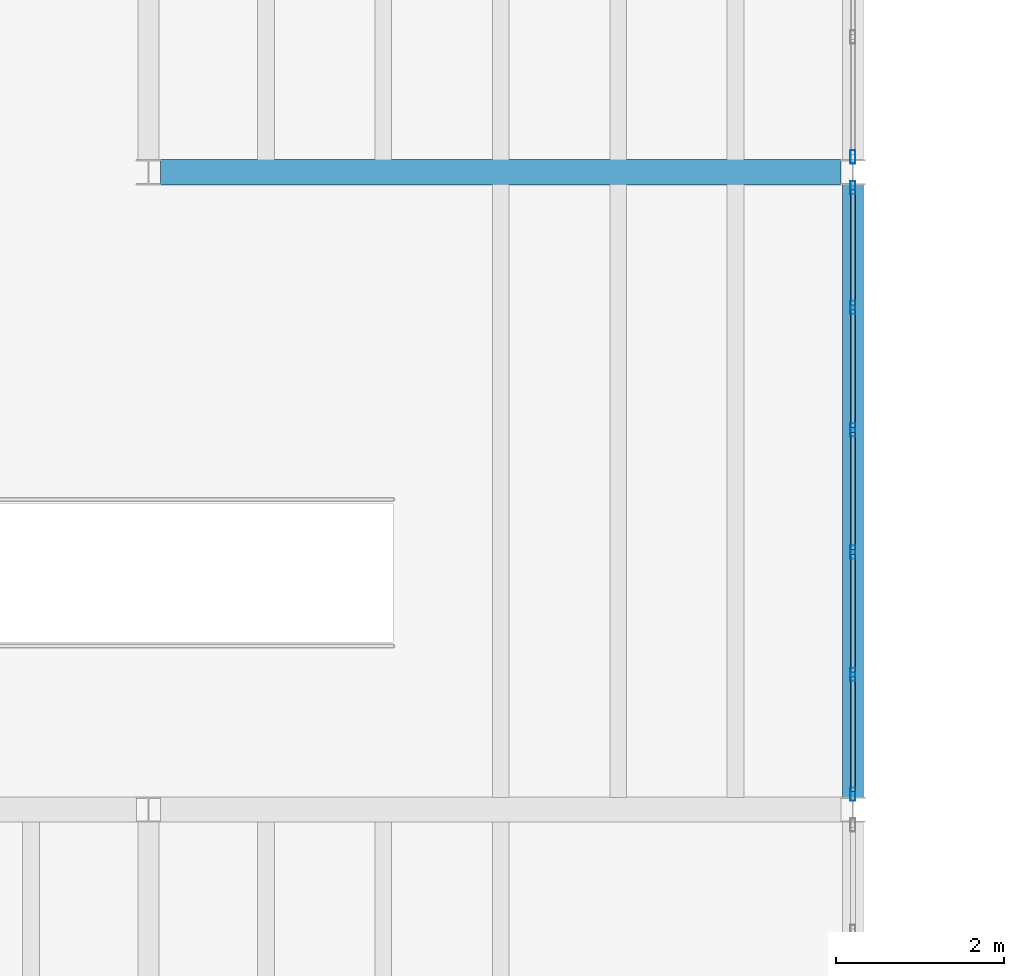
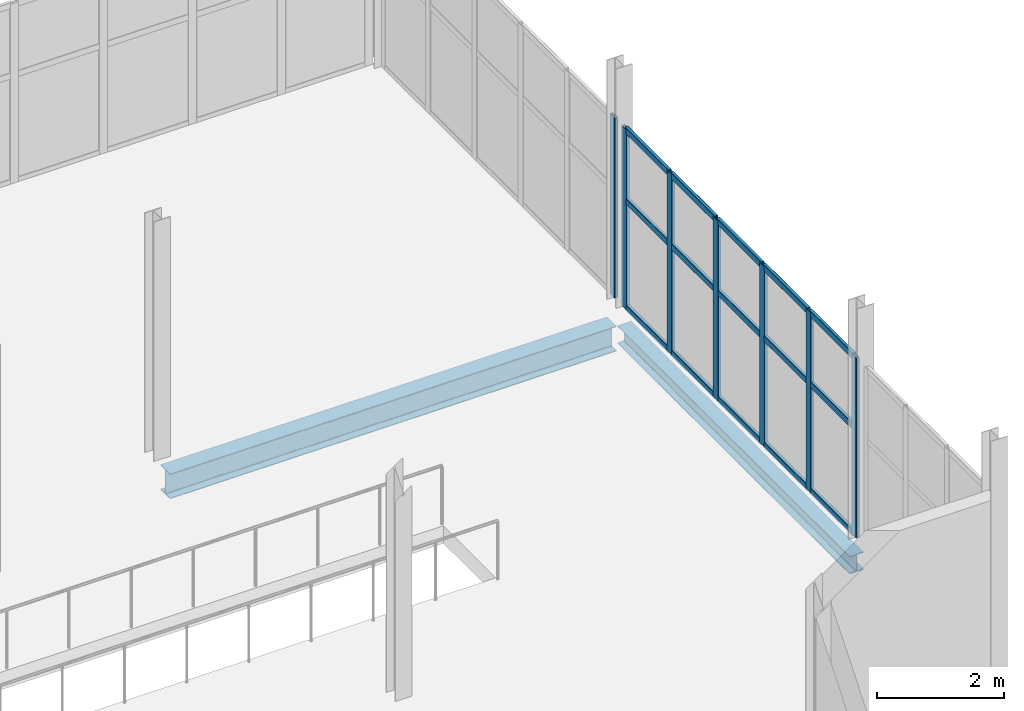
# One storey, part 19 of 136: 22 members, 2 beams, 2 elements without a shape of their own.
"""IFC4 building model written with IfcOpenShell, lengths in metres."""

from ifc_helpers import new_model, si_unit, direction, frame, origin, origin_2d, place, context, subcontext, project, spatial, hollow_rectangle, i_section, extrude, material, material_profile, profile_set, type_object, element, aggregate, save


model = new_model("IFC4")

# Units and contexts
model_context = context("Model", 3, precision=1e-05, world=origin(), true_north=direction((0.0, 1.0)))
body_context = subcontext(model_context, "Body", "Model", "MODEL_VIEW")
ifc_project = project(units=[si_unit("LENGTHUNIT", "METRE"), si_unit("AREAUNIT", "SQUARE_METRE"), si_unit("VOLUMEUNIT", "CUBIC_METRE"), si_unit("PLANEANGLEUNIT", "RADIAN"), si_unit("MASSUNIT", "GRAM", prefix="KILO")], contexts=[model_context])

# Site, building, storey
site_placement = place(None, origin())
site = spatial("IfcSite", under=ifc_project, at=site_placement, CompositionType="ELEMENT")
building_placement = place(site_placement, origin())
building = spatial("IfcBuilding", under=site, at=building_placement, Name="Shengluoqiao Park Theatre", CompositionType="ELEMENT")
storey_placement = place(building_placement, frame((0.0, 0.0, 10.0)))
storey = spatial("IfcBuildingStorey", under=building, at=storey_placement, Name="L02", CompositionType="ELEMENT", Elevation=10.0)

# Curtain wall, members
ifc_material_1 = material(Name="Aluminium 6063-T6", Category="aluminium")
curtain_wall_type = type_object("IfcCurtainWallType", Name="ENV-CW-COURT", PredefinedType="NOTDEFINED", material=ifc_material_1)
curtain_wall_1_placement = place(storey_placement, origin())
curtain_wall_1 = element("IfcCurtainWall", 1, at=curtain_wall_1_placement, inside=storey, type_object=curtain_wall_type, Name="L02 Curtain Wall CWX-L02-0162", PredefinedType="NOTDEFINED")
ifc_material_profile_1 = material_profile(ifc_material_1, hollow_rectangle(XDim=0.06005859375, YDim=0.159912109375, WallThickness=0.00390625, InnerFilletRadius=0.00390625, OuterFilletRadius=0.008056640625, at=origin_2d()), Name="ALU MULLION 160x60x4")
ifc_profile_set_1 = profile_set([ifc_material_profile_1], Name="Aluminium 6063-T6")
member_type_1 = type_object("IfcMemberType", Name="ENV-MUL-160", PredefinedType="MULLION", material=ifc_profile_set_1)
member_1_placement = place(storey_placement, frame((44.39990234375, 7.783935546875, 0.0), z_axis=(0.0, 0.0, 1.0), x_axis=(-1.0, 0.0, 0.0)))
member_1 = element("IfcMember", 2, at=member_1_placement, type_object=member_type_1, Name="CW-05 mullion 1", PredefinedType="MULLION", context=body_context, shape_type="SweptSolid", body=[
    extrude(hollow_rectangle(XDim=0.06005859375, YDim=0.159912109375, WallThickness=0.00390625, InnerFilletRadius=0.00390625, OuterFilletRadius=0.008056640625, at=origin_2d()), origin(), (0.0, 0.0, 1.0), 3.4580078125),
])
member_2_placement = place(storey_placement, frame((44.39990234375, 9.21240234375, 0.0), z_axis=(0.0, 0.0, 1.0), x_axis=(-1.0, 0.0, 0.0)))
member_2 = element("IfcMember", 3, at=member_2_placement, type_object=member_type_1, Name="CW-05 mullion 2", PredefinedType="MULLION", context=body_context, shape_type="SweptSolid", body=[
    extrude(hollow_rectangle(XDim=0.06005859375, YDim=0.159912109375, WallThickness=0.00390625, InnerFilletRadius=0.00390625, OuterFilletRadius=0.008056640625, at=origin_2d()), origin(), (0.0, 0.0, 1.0), 3.4580078125),
])
member_3_placement = place(storey_placement, frame((44.39990234375, 10.6708984375, 0.0), z_axis=(0.0, 0.0, 1.0), x_axis=(-1.0, 0.0, 0.0)))
member_3 = element("IfcMember", 4, at=member_3_placement, type_object=member_type_1, Name="CW-05 mullion 3", PredefinedType="MULLION", context=body_context, shape_type="SweptSolid", body=[
    extrude(hollow_rectangle(XDim=0.06005859375, YDim=0.159912109375, WallThickness=0.00390625, InnerFilletRadius=0.00390625, OuterFilletRadius=0.008056640625, at=origin_2d()), origin(), (0.0, 0.0, 1.0), 3.4580078125),
])
member_4_placement = place(storey_placement, frame((44.39990234375, 12.129150390625, 0.0), z_axis=(0.0, 0.0, 1.0), x_axis=(-1.0, 0.0, 0.0)))
member_4 = element("IfcMember", 5, at=member_4_placement, type_object=member_type_1, Name="CW-05 mullion 4", PredefinedType="MULLION", context=body_context, shape_type="SweptSolid", body=[
    extrude(hollow_rectangle(XDim=0.06005859375, YDim=0.159912109375, WallThickness=0.00390625, InnerFilletRadius=0.00390625, OuterFilletRadius=0.008056640625, at=origin_2d()), origin(), (0.0, 0.0, 1.0), 3.4580078125),
])
member_5_placement = place(storey_placement, frame((44.39990234375, 13.587646484375, 0.0), z_axis=(0.0, 0.0, 1.0), x_axis=(-1.0, 0.0, 0.0)))
member_5 = element("IfcMember", 6, at=member_5_placement, type_object=member_type_1, Name="CW-05 mullion 5", PredefinedType="MULLION", context=body_context, shape_type="SweptSolid", body=[
    extrude(hollow_rectangle(XDim=0.06005859375, YDim=0.159912109375, WallThickness=0.00390625, InnerFilletRadius=0.00390625, OuterFilletRadius=0.008056640625, at=origin_2d()), origin(), (0.0, 0.0, 1.0), 3.4580078125),
])
member_6_placement = place(storey_placement, frame((44.39990234375, 15.01611328125, 0.0), z_axis=(0.0, 0.0, 1.0), x_axis=(-1.0, 0.0, 0.0)))
member_6 = element("IfcMember", 7, at=member_6_placement, type_object=member_type_1, Name="CW-05 mullion 6", PredefinedType="MULLION", context=body_context, shape_type="SweptSolid", body=[
    extrude(hollow_rectangle(XDim=0.06005859375, YDim=0.159912109375, WallThickness=0.00390625, InnerFilletRadius=0.00390625, OuterFilletRadius=0.008056640625, at=origin_2d()), origin(), (0.0, 0.0, 1.0), 3.4580078125),
])

# Curtain wall, member
curtain_wall_2_placement = place(storey_placement, origin())
curtain_wall_2 = element("IfcCurtainWall", 8, at=curtain_wall_2_placement, inside=storey, type_object=curtain_wall_type, Name="L02 Curtain Wall CWX-L02-0163", PredefinedType="NOTDEFINED")
member_7_placement = place(storey_placement, frame((44.39990234375, 15.384033203125, 0.0), z_axis=(0.0, 0.0, 1.0), x_axis=(-1.0, 0.0, 0.0)))
member_7 = element("IfcMember", 9, at=member_7_placement, type_object=member_type_1, Name="CW-05 mullion 1", PredefinedType="MULLION", context=body_context, shape_type="SweptSolid", body=[
    extrude(hollow_rectangle(XDim=0.06005859375, YDim=0.159912109375, WallThickness=0.00390625, InnerFilletRadius=0.00390625, OuterFilletRadius=0.008056640625, at=origin_2d()), origin(), (0.0, 0.0, 1.0), 3.4580078125),
])
aggregate(curtain_wall_2, [member_7])

# Member
ifc_material_profile_2 = material_profile(ifc_material_1, hollow_rectangle(XDim=0.06005859375, YDim=0.1201171875, WallThickness=0.00390625, InnerFilletRadius=0.00390625, OuterFilletRadius=0.008056640625, at=origin_2d()), Name="ALU TRANSOM 120x60x4")
ifc_profile_set_2 = profile_set([ifc_material_profile_2], Name="Aluminium 6063-T6")
member_type_2 = type_object("IfcMemberType", Name="ENV-TRN-120", PredefinedType="USERDEFINED", material=ifc_profile_set_2)
member_8_placement = place(storey_placement, frame((44.39990234375, 7.81396484375, 0.030029296875), z_axis=(0.0, 1.0, 0.0), x_axis=(-1.0, 0.0, 0.0)))
member_8 = element("IfcMember", 10, at=member_8_placement, type_object=member_type_2, Name="CW-05 transom 1.1", ObjectType="TRANSOM", PredefinedType="USERDEFINED", context=body_context, shape_type="SweptSolid", body=[
    extrude(hollow_rectangle(XDim=0.06005859375, YDim=0.1201171875, WallThickness=0.00390625, InnerFilletRadius=0.00390625, OuterFilletRadius=0.008056640625, at=origin_2d()), origin(), (0.0, 0.0, 1.0), 1.368408203125),
])

member_9_placement = place(storey_placement, frame((44.39990234375, 7.81396484375, 2.074951171875), z_axis=(0.0, 1.0, 0.0), x_axis=(-1.0, 0.0, 0.0)))
member_9 = element("IfcMember", 11, at=member_9_placement, type_object=member_type_2, Name="CW-05 transom 1.2", ObjectType="TRANSOM", PredefinedType="USERDEFINED", context=body_context, shape_type="SweptSolid", body=[
    extrude(hollow_rectangle(XDim=0.06005859375, YDim=0.1201171875, WallThickness=0.00390625, InnerFilletRadius=0.00390625, OuterFilletRadius=0.008056640625, at=origin_2d()), origin(), (0.0, 0.0, 1.0), 1.368408203125),
])

member_10_placement = place(storey_placement, frame((44.39990234375, 7.81396484375, 3.427978515625), z_axis=(0.0, 1.0, 0.0), x_axis=(-1.0, 0.0, 0.0)))
member_10 = element("IfcMember", 12, at=member_10_placement, type_object=member_type_2, Name="CW-05 transom 1.3", ObjectType="TRANSOM", PredefinedType="USERDEFINED", context=body_context, shape_type="SweptSolid", body=[
    extrude(hollow_rectangle(XDim=0.06005859375, YDim=0.1201171875, WallThickness=0.00390625, InnerFilletRadius=0.00390625, OuterFilletRadius=0.008056640625, at=origin_2d()), origin(), (0.0, 0.0, 1.0), 1.368408203125),
])

member_11_placement = place(storey_placement, frame((44.39990234375, 9.242431640625, 0.030029296875), z_axis=(0.0, 1.0, 0.0), x_axis=(-1.0, 0.0, 0.0)))
member_11 = element("IfcMember", 13, at=member_11_placement, type_object=member_type_2, Name="CW-05 transom 2.1", ObjectType="TRANSOM", PredefinedType="USERDEFINED", context=body_context, shape_type="SweptSolid", body=[
    extrude(hollow_rectangle(XDim=0.06005859375, YDim=0.1201171875, WallThickness=0.00390625, InnerFilletRadius=0.00390625, OuterFilletRadius=0.008056640625, at=origin_2d()), origin(), (0.0, 0.0, 1.0), 1.3984375),
])

member_12_placement = place(storey_placement, frame((44.39990234375, 9.242431640625, 2.074951171875), z_axis=(0.0, 1.0, 0.0), x_axis=(-1.0, 0.0, 0.0)))
member_12 = element("IfcMember", 14, at=member_12_placement, type_object=member_type_2, Name="CW-05 transom 2.2", ObjectType="TRANSOM", PredefinedType="USERDEFINED", context=body_context, shape_type="SweptSolid", body=[
    extrude(hollow_rectangle(XDim=0.06005859375, YDim=0.1201171875, WallThickness=0.00390625, InnerFilletRadius=0.00390625, OuterFilletRadius=0.008056640625, at=origin_2d()), origin(), (0.0, 0.0, 1.0), 1.3984375),
])

member_13_placement = place(storey_placement, frame((44.39990234375, 9.242431640625, 3.427978515625), z_axis=(0.0, 1.0, 0.0), x_axis=(-1.0, 0.0, 0.0)))
member_13 = element("IfcMember", 15, at=member_13_placement, type_object=member_type_2, Name="CW-05 transom 2.3", ObjectType="TRANSOM", PredefinedType="USERDEFINED", context=body_context, shape_type="SweptSolid", body=[
    extrude(hollow_rectangle(XDim=0.06005859375, YDim=0.1201171875, WallThickness=0.00390625, InnerFilletRadius=0.00390625, OuterFilletRadius=0.008056640625, at=origin_2d()), origin(), (0.0, 0.0, 1.0), 1.3984375),
])

member_14_placement = place(storey_placement, frame((44.39990234375, 10.70068359375, 0.030029296875), z_axis=(0.0, 1.0, 0.0), x_axis=(-1.0, 0.0, 0.0)))
member_14 = element("IfcMember", 16, at=member_14_placement, type_object=member_type_2, Name="CW-05 transom 3.1", ObjectType="TRANSOM", PredefinedType="USERDEFINED", context=body_context, shape_type="SweptSolid", body=[
    extrude(hollow_rectangle(XDim=0.06005859375, YDim=0.1201171875, WallThickness=0.00390625, InnerFilletRadius=0.00390625, OuterFilletRadius=0.008056640625, at=origin_2d()), origin(), (0.0, 0.0, 1.0), 1.3984375),
])

member_15_placement = place(storey_placement, frame((44.39990234375, 10.70068359375, 2.074951171875), z_axis=(0.0, 1.0, 0.0), x_axis=(-1.0, 0.0, 0.0)))
member_15 = element("IfcMember", 17, at=member_15_placement, type_object=member_type_2, Name="CW-05 transom 3.2", ObjectType="TRANSOM", PredefinedType="USERDEFINED", context=body_context, shape_type="SweptSolid", body=[
    extrude(hollow_rectangle(XDim=0.06005859375, YDim=0.1201171875, WallThickness=0.00390625, InnerFilletRadius=0.00390625, OuterFilletRadius=0.008056640625, at=origin_2d()), origin(), (0.0, 0.0, 1.0), 1.3984375),
])

member_16_placement = place(storey_placement, frame((44.39990234375, 10.70068359375, 3.427978515625), z_axis=(0.0, 1.0, 0.0), x_axis=(-1.0, 0.0, 0.0)))
member_16 = element("IfcMember", 18, at=member_16_placement, type_object=member_type_2, Name="CW-05 transom 3.3", ObjectType="TRANSOM", PredefinedType="USERDEFINED", context=body_context, shape_type="SweptSolid", body=[
    extrude(hollow_rectangle(XDim=0.06005859375, YDim=0.1201171875, WallThickness=0.00390625, InnerFilletRadius=0.00390625, OuterFilletRadius=0.008056640625, at=origin_2d()), origin(), (0.0, 0.0, 1.0), 1.3984375),
])

member_17_placement = place(storey_placement, frame((44.39990234375, 12.1591796875, 0.030029296875), z_axis=(0.0, 1.0, 0.0), x_axis=(-1.0, 0.0, 0.0)))
member_17 = element("IfcMember", 19, at=member_17_placement, type_object=member_type_2, Name="CW-05 transom 4.1", ObjectType="TRANSOM", PredefinedType="USERDEFINED", context=body_context, shape_type="SweptSolid", body=[
    extrude(hollow_rectangle(XDim=0.06005859375, YDim=0.1201171875, WallThickness=0.00390625, InnerFilletRadius=0.00390625, OuterFilletRadius=0.008056640625, at=origin_2d()), origin(), (0.0, 0.0, 1.0), 1.3984375),
])

member_18_placement = place(storey_placement, frame((44.39990234375, 12.1591796875, 2.074951171875), z_axis=(0.0, 1.0, 0.0), x_axis=(-1.0, 0.0, 0.0)))
member_18 = element("IfcMember", 20, at=member_18_placement, type_object=member_type_2, Name="CW-05 transom 4.2", ObjectType="TRANSOM", PredefinedType="USERDEFINED", context=body_context, shape_type="SweptSolid", body=[
    extrude(hollow_rectangle(XDim=0.06005859375, YDim=0.1201171875, WallThickness=0.00390625, InnerFilletRadius=0.00390625, OuterFilletRadius=0.008056640625, at=origin_2d()), origin(), (0.0, 0.0, 1.0), 1.3984375),
])

member_19_placement = place(storey_placement, frame((44.39990234375, 12.1591796875, 3.427978515625), z_axis=(0.0, 1.0, 0.0), x_axis=(-1.0, 0.0, 0.0)))
member_19 = element("IfcMember", 21, at=member_19_placement, type_object=member_type_2, Name="CW-05 transom 4.3", ObjectType="TRANSOM", PredefinedType="USERDEFINED", context=body_context, shape_type="SweptSolid", body=[
    extrude(hollow_rectangle(XDim=0.06005859375, YDim=0.1201171875, WallThickness=0.00390625, InnerFilletRadius=0.00390625, OuterFilletRadius=0.008056640625, at=origin_2d()), origin(), (0.0, 0.0, 1.0), 1.3984375),
])

member_20_placement = place(storey_placement, frame((44.39990234375, 13.61767578125, 0.030029296875), z_axis=(0.0, 1.0, 0.0), x_axis=(-1.0, 0.0, 0.0)))
member_20 = element("IfcMember", 22, at=member_20_placement, type_object=member_type_2, Name="CW-05 transom 5.1", ObjectType="TRANSOM", PredefinedType="USERDEFINED", context=body_context, shape_type="SweptSolid", body=[
    extrude(hollow_rectangle(XDim=0.06005859375, YDim=0.1201171875, WallThickness=0.00390625, InnerFilletRadius=0.00390625, OuterFilletRadius=0.008056640625, at=origin_2d()), origin(), (0.0, 0.0, 1.0), 1.368408203125),
])

member_21_placement = place(storey_placement, frame((44.39990234375, 13.61767578125, 2.074951171875), z_axis=(0.0, 1.0, 0.0), x_axis=(-1.0, 0.0, 0.0)))
member_21 = element("IfcMember", 23, at=member_21_placement, type_object=member_type_2, Name="CW-05 transom 5.2", ObjectType="TRANSOM", PredefinedType="USERDEFINED", context=body_context, shape_type="SweptSolid", body=[
    extrude(hollow_rectangle(XDim=0.06005859375, YDim=0.1201171875, WallThickness=0.00390625, InnerFilletRadius=0.00390625, OuterFilletRadius=0.008056640625, at=origin_2d()), origin(), (0.0, 0.0, 1.0), 1.368408203125),
])

member_22_placement = place(storey_placement, frame((44.39990234375, 13.61767578125, 3.427978515625), z_axis=(0.0, 1.0, 0.0), x_axis=(-1.0, 0.0, 0.0)))
member_22 = element("IfcMember", 24, at=member_22_placement, type_object=member_type_2, Name="CW-05 transom 5.3", ObjectType="TRANSOM", PredefinedType="USERDEFINED", context=body_context, shape_type="SweptSolid", body=[
    extrude(hollow_rectangle(XDim=0.06005859375, YDim=0.1201171875, WallThickness=0.00390625, InnerFilletRadius=0.00390625, OuterFilletRadius=0.008056640625, at=origin_2d()), origin(), (0.0, 0.0, 1.0), 1.368408203125),
])

aggregate(curtain_wall_1, [member_1, member_2, member_3, member_4, member_5, member_6, member_8, member_9, member_10, member_11, member_12, member_13, member_14, member_15, member_16, member_17, member_18, member_19, member_20, member_21, member_22])

# Beams
ifc_material_2 = material(Name="Steel Q355", Category="steel")
ifc_material_profile_3 = material_profile(ifc_material_2, i_section(OverallWidth=0.25, OverallDepth=0.340087890625, WebThickness=0.009033203125, FlangeThickness=0.013916015625, FilletRadius=0.01611328125, at=origin_2d()), Name="HM 340x250x9x14")
ifc_profile_set_3 = profile_set([ifc_material_profile_3], Name="Steel Q355")
beam_type_1 = type_object("IfcBeamType", Name="STR-BM-G-HM340", PredefinedType="BEAM", material=ifc_profile_set_3)
beam_1_placement = place(storey_placement, frame((44.39990234375, 7.743896484375, -0.510009765625), z_axis=(0.0, 1.0, 0.0), x_axis=(-1.0, 0.0, 0.0)))
element("IfcBeam", 25, at=beam_1_placement, inside=storey, type_object=beam_type_1, Name="L02 Transverse Girder 00914", PredefinedType="BEAM", context=body_context, shape_type="SweptSolid", body=[
    extrude(i_section(OverallWidth=0.25, OverallDepth=0.340087890625, WebThickness=0.009033203125, FlangeThickness=0.013916015625, FilletRadius=0.01611328125, at=origin_2d()), origin(), (0.0, 0.0, 1.0), 7.31201171875),
])
ifc_material_profile_4 = material_profile(ifc_material_2, i_section(OverallWidth=0.300048828125, OverallDepth=0.48193359375, WebThickness=0.010986328125, FlangeThickness=0.014892578125, FilletRadius=0.02197265625, at=origin_2d()), Name="HM 482x300x11x15")
ifc_profile_set_4 = profile_set([ifc_material_profile_4], Name="Steel Q355")
beam_type_2 = type_object("IfcBeamType", Name="STR-BM-G-HM482", PredefinedType="BEAM", material=ifc_profile_set_4)
beam_2_placement = place(storey_placement, frame((36.14404296875, 15.199951171875, -0.5810546875), z_axis=(1.0, 0.0, 0.0), x_axis=(0.0, 1.0, 0.0)))
element("IfcBeam", 26, at=beam_2_placement, inside=storey, type_object=beam_type_2, Name="L02 Primary Girder 00908", PredefinedType="BEAM", context=body_context, shape_type="SweptSolid", body=[
    extrude(i_section(OverallWidth=0.300048828125, OverallDepth=0.48193359375, WebThickness=0.010986328125, FlangeThickness=0.014892578125, FilletRadius=0.02197265625, at=origin_2d()), origin(), (0.0, 0.0, 1.0), 8.112060546875),
])

save(model, "model.ifc")
